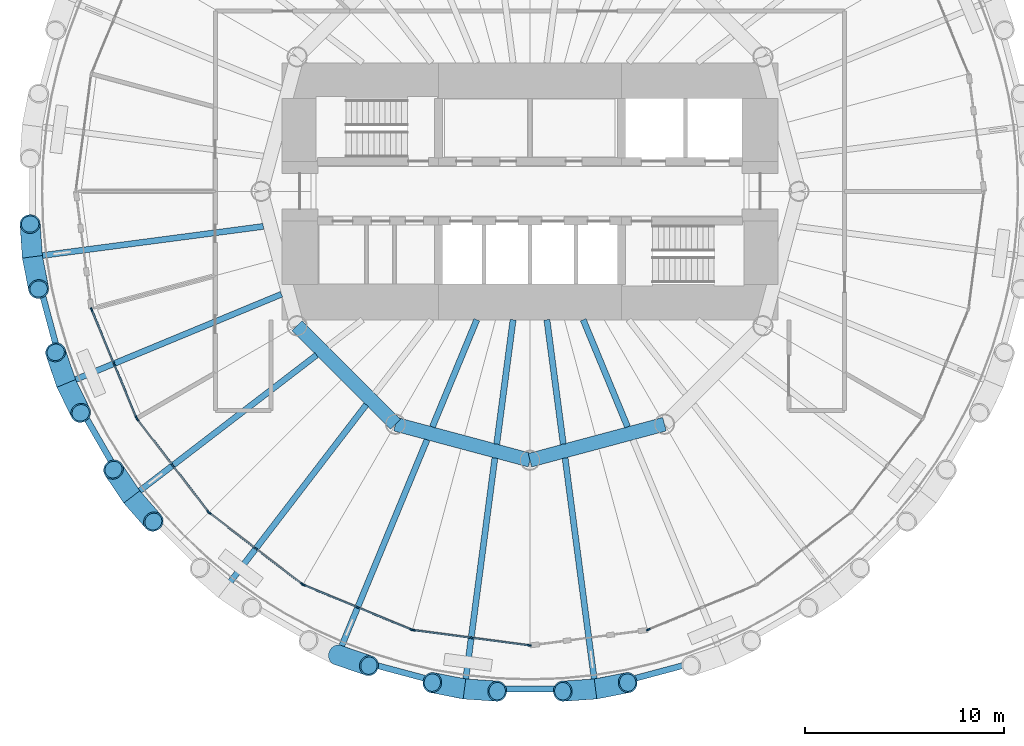
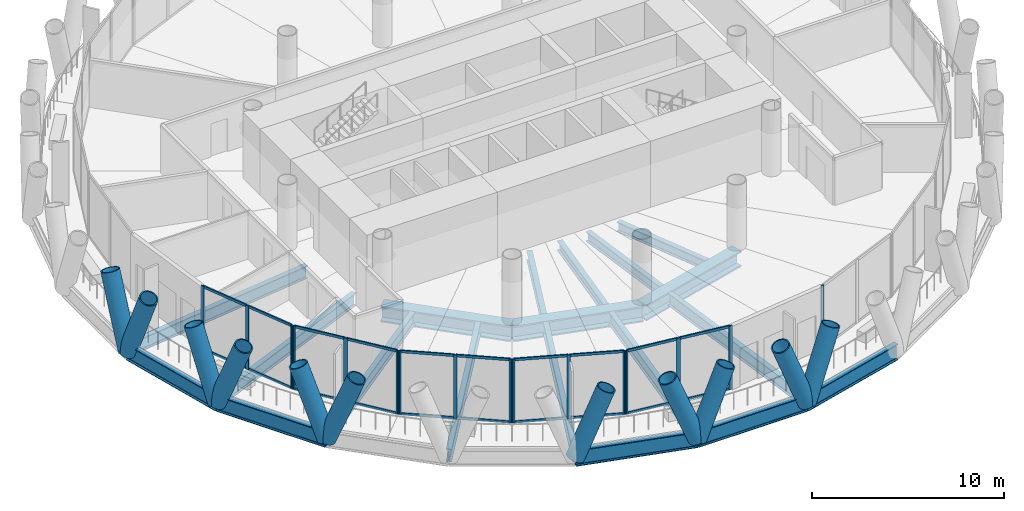
# One storey, part 2 of 14: 47 members, 19 beams, 6 elements without a shape of their own.
"""IFC4 building model written with IfcOpenShell, lengths in metres."""

from ifc_helpers import new_model, si_unit, direction, frame, origin, origin_2d, place, context, subcontext, project, spatial, rectangle, hollow_circle, i_section, extrude, material, material_profile, profile_set, type_object, element, aggregate, save


model = new_model("IFC4")

# Units and contexts
model_context = context("Model", 3, precision=1e-05, world=origin(), true_north=direction((0.0, 1.0)))
body_context = subcontext(model_context, "Body", "Model", "MODEL_VIEW")
ifc_project = project(units=[si_unit("LENGTHUNIT", "METRE"), si_unit("AREAUNIT", "SQUARE_METRE"), si_unit("VOLUMEUNIT", "CUBIC_METRE"), si_unit("PLANEANGLEUNIT", "RADIAN"), si_unit("MASSUNIT", "GRAM", prefix="KILO")], contexts=[model_context])

# Site, building, storey
site_placement = place(None, origin())
site = spatial("IfcSite", under=ifc_project, at=site_placement, CompositionType="ELEMENT")
building_placement = place(site_placement, origin())
building = spatial("IfcBuilding", under=site, at=building_placement, Name="Qaws Media Tower", CompositionType="ELEMENT")
storey_placement = place(building_placement, frame((0.0, 0.0, 118.39990234375)))
storey = spatial("IfcBuildingStorey", under=building, at=storey_placement, Name="L26", CompositionType="ELEMENT", Elevation=118.39990234375)

# Curtain wall, members
ifc_material_1 = material(Name="Aluminium and clear glass", Category="aluminium")
curtain_wall_type = type_object("IfcCurtainWallType", Name="Unitised curtain wall CW-B", PredefinedType="NOTDEFINED", material=ifc_material_1)
curtain_wall_1_placement = place(storey_placement, origin())
curtain_wall_1 = element("IfcCurtainWall", 1, at=curtain_wall_1_placement, inside=storey, type_object=curtain_wall_type, Name="CWB curtain wall L26-14", PredefinedType="NOTDEFINED")
ifc_material_2 = material(Name="Aluminium mullion", Category="aluminium")
ifc_material_profile_1 = material_profile(ifc_material_2, rectangle(XDim=0.080078125, YDim=0.199951171875, at=origin_2d()), Name="80x200")
ifc_profile_set_1 = profile_set([ifc_material_profile_1], Name="Aluminium mullion")
member_type_1 = type_object("IfcMemberType", Name="Curtain wall mullion 80x200", PredefinedType="MULLION", material=ifc_profile_set_1)
member_1_placement = place(storey_placement, frame((37.9921875, 44.06201171875, 0.0), z_axis=(0.0, 0.0, 1.0), x_axis=(0.923879516335, 0.382683471419, 0.0)))
member_1 = element("IfcMember", 2, at=member_1_placement, type_object=member_type_1, Name="CWB mullion 1", PredefinedType="MULLION", context=body_context, shape_type="SweptSolid", body=[
    extrude(rectangle(XDim=0.080078125, YDim=0.199951171875, at=origin_2d()), origin(), (0.0, 0.0, 1.0), 4.0400390625),
])
member_2_placement = place(storey_placement, frame((39.11572265625, 41.349365234375, 0.0), z_axis=(0.0, 0.0, 1.0), x_axis=(0.923879516335, 0.382683471419, 0.0)))
member_2 = element("IfcMember", 3, at=member_2_placement, type_object=member_type_1, Name="CWB mullion 2", PredefinedType="MULLION", context=body_context, shape_type="SweptSolid", body=[
    extrude(rectangle(XDim=0.080078125, YDim=0.199951171875, at=origin_2d()), origin(), (0.0, 0.0, 1.0), 4.0400390625),
])
member_3_placement = place(storey_placement, frame((40.2392578125, 38.636962890625, 0.0), z_axis=(0.0, 0.0, 1.0), x_axis=(0.923879516335, 0.382683471419, 0.0)))
member_3 = element("IfcMember", 4, at=member_3_placement, type_object=member_type_1, Name="CWB mullion 3", PredefinedType="MULLION", context=body_context, shape_type="SweptSolid", body=[
    extrude(rectangle(XDim=0.080078125, YDim=0.199951171875, at=origin_2d()), origin(), (0.0, 0.0, 1.0), 4.0400390625),
])

curtain_wall_2_placement = place(storey_placement, origin())
curtain_wall_2 = element("IfcCurtainWall", 5, at=curtain_wall_2_placement, inside=storey, type_object=curtain_wall_type, Name="CWB curtain wall L26-15", PredefinedType="NOTDEFINED")
member_4_placement = place(storey_placement, frame((40.279052734375, 38.568359375, 0.0), z_axis=(0.0, 0.0, 1.0), x_axis=(0.793353412806, 0.608761334505, 0.0)))
member_4 = element("IfcMember", 6, at=member_4_placement, type_object=member_type_1, Name="CWB mullion 1", PredefinedType="MULLION", context=body_context, shape_type="SweptSolid", body=[
    extrude(rectangle(XDim=0.080078125, YDim=0.199951171875, at=origin_2d()), origin(), (0.0, 0.0, 1.0), 4.0400390625),
])
member_5_placement = place(storey_placement, frame((42.06640625, 36.239013671875, 0.0), z_axis=(0.0, 0.0, 1.0), x_axis=(0.793353412806, 0.608761334505, 0.0)))
member_5 = element("IfcMember", 7, at=member_5_placement, type_object=member_type_1, Name="CWB mullion 2", PredefinedType="MULLION", context=body_context, shape_type="SweptSolid", body=[
    extrude(rectangle(XDim=0.080078125, YDim=0.199951171875, at=origin_2d()), origin(), (0.0, 0.0, 1.0), 4.0400390625),
])
member_6_placement = place(storey_placement, frame((43.853515625, 33.90966796875, 0.0), z_axis=(0.0, 0.0, 1.0), x_axis=(0.793353412806, 0.608761334505, 0.0)))
member_6 = element("IfcMember", 8, at=member_6_placement, type_object=member_type_1, Name="CWB mullion 3", PredefinedType="MULLION", context=body_context, shape_type="SweptSolid", body=[
    extrude(rectangle(XDim=0.080078125, YDim=0.199951171875, at=origin_2d()), origin(), (0.0, 0.0, 1.0), 4.0400390625),
])

curtain_wall_3_placement = place(storey_placement, origin())
curtain_wall_3 = element("IfcCurtainWall", 9, at=curtain_wall_3_placement, inside=storey, type_object=curtain_wall_type, Name="CWB curtain wall L26-16", PredefinedType="NOTDEFINED")
member_7_placement = place(storey_placement, frame((43.90966796875, 33.853515625, 0.0), z_axis=(0.0, 0.0, 1.0), x_axis=(0.608761334505, 0.793353412806, 0.0)))
member_7 = element("IfcMember", 10, at=member_7_placement, type_object=member_type_1, Name="CWB mullion 1", PredefinedType="MULLION", context=body_context, shape_type="SweptSolid", body=[
    extrude(rectangle(XDim=0.080078125, YDim=0.199951171875, at=origin_2d()), origin(), (0.0, 0.0, 1.0), 4.0400390625),
])
member_8_placement = place(storey_placement, frame((46.239013671875, 32.06640625, 0.0), z_axis=(0.0, 0.0, 1.0), x_axis=(0.608761334505, 0.793353412806, 0.0)))
member_8 = element("IfcMember", 11, at=member_8_placement, type_object=member_type_1, Name="CWB mullion 2", PredefinedType="MULLION", context=body_context, shape_type="SweptSolid", body=[
    extrude(rectangle(XDim=0.080078125, YDim=0.199951171875, at=origin_2d()), origin(), (0.0, 0.0, 1.0), 4.0400390625),
])
member_9_placement = place(storey_placement, frame((48.568359375, 30.279052734375, 0.0), z_axis=(0.0, 0.0, 1.0), x_axis=(0.608761334505, 0.793353412806, 0.0)))
member_9 = element("IfcMember", 12, at=member_9_placement, type_object=member_type_1, Name="CWB mullion 3", PredefinedType="MULLION", context=body_context, shape_type="SweptSolid", body=[
    extrude(rectangle(XDim=0.080078125, YDim=0.199951171875, at=origin_2d()), origin(), (0.0, 0.0, 1.0), 4.0400390625),
])

curtain_wall_4_placement = place(storey_placement, origin())
curtain_wall_4 = element("IfcCurtainWall", 13, at=curtain_wall_4_placement, inside=storey, type_object=curtain_wall_type, Name="CWB curtain wall L26-17", PredefinedType="NOTDEFINED")
member_10_placement = place(storey_placement, frame((48.636962890625, 30.2392578125, 0.0), z_axis=(0.0, 0.0, 1.0), x_axis=(0.382683471419, 0.923879516335, 0.0)))
member_10 = element("IfcMember", 14, at=member_10_placement, type_object=member_type_1, Name="CWB mullion 1", PredefinedType="MULLION", context=body_context, shape_type="SweptSolid", body=[
    extrude(rectangle(XDim=0.080078125, YDim=0.199951171875, at=origin_2d()), origin(), (0.0, 0.0, 1.0), 4.0400390625),
])
member_11_placement = place(storey_placement, frame((51.349365234375, 29.11572265625, 0.0), z_axis=(0.0, 0.0, 1.0), x_axis=(0.382683471419, 0.923879516335, 0.0)))
member_11 = element("IfcMember", 15, at=member_11_placement, type_object=member_type_1, Name="CWB mullion 2", PredefinedType="MULLION", context=body_context, shape_type="SweptSolid", body=[
    extrude(rectangle(XDim=0.080078125, YDim=0.199951171875, at=origin_2d()), origin(), (0.0, 0.0, 1.0), 4.0400390625),
])
member_12_placement = place(storey_placement, frame((54.06201171875, 27.9921875, 0.0), z_axis=(0.0, 0.0, 1.0), x_axis=(0.382683471419, 0.923879516335, 0.0)))
member_12 = element("IfcMember", 16, at=member_12_placement, type_object=member_type_1, Name="CWB mullion 3", PredefinedType="MULLION", context=body_context, shape_type="SweptSolid", body=[
    extrude(rectangle(XDim=0.080078125, YDim=0.199951171875, at=origin_2d()), origin(), (0.0, 0.0, 1.0), 4.0400390625),
])

curtain_wall_5_placement = place(storey_placement, origin())
curtain_wall_5 = element("IfcCurtainWall", 17, at=curtain_wall_5_placement, inside=storey, type_object=curtain_wall_type, Name="CWB curtain wall L26-18", PredefinedType="NOTDEFINED")
member_13_placement = place(storey_placement, frame((54.138671875, 27.9716796875, 0.0), z_axis=(0.0, 0.0, 1.0), x_axis=(0.130526170659, 0.991444864212, 0.0)))
member_13 = element("IfcMember", 18, at=member_13_placement, type_object=member_type_1, Name="CWB mullion 1", PredefinedType="MULLION", context=body_context, shape_type="SweptSolid", body=[
    extrude(rectangle(XDim=0.080078125, YDim=0.199951171875, at=origin_2d()), origin(), (0.0, 0.0, 1.0), 4.0400390625),
])
member_14_placement = place(storey_placement, frame((57.049560546875, 27.58837890625, 0.0), z_axis=(0.0, 0.0, 1.0), x_axis=(0.130526170659, 0.991444864212, 0.0)))
member_14 = element("IfcMember", 19, at=member_14_placement, type_object=member_type_1, Name="CWB mullion 2", PredefinedType="MULLION", context=body_context, shape_type="SweptSolid", body=[
    extrude(rectangle(XDim=0.080078125, YDim=0.199951171875, at=origin_2d()), origin(), (0.0, 0.0, 1.0), 4.0400390625),
])
member_15_placement = place(storey_placement, frame((59.96044921875, 27.205322265625, 0.0), z_axis=(0.0, 0.0, 1.0), x_axis=(0.130526170659, 0.991444864212, 0.0)))
member_15 = element("IfcMember", 20, at=member_15_placement, type_object=member_type_1, Name="CWB mullion 3", PredefinedType="MULLION", context=body_context, shape_type="SweptSolid", body=[
    extrude(rectangle(XDim=0.080078125, YDim=0.199951171875, at=origin_2d()), origin(), (0.0, 0.0, 1.0), 4.0400390625),
])

# Curtain wall, member
curtain_wall_6_placement = place(storey_placement, origin())
curtain_wall_6 = element("IfcCurtainWall", 21, at=curtain_wall_6_placement, inside=storey, type_object=curtain_wall_type, Name="CWB curtain wall L26-20", PredefinedType="NOTDEFINED")
member_16_placement = place(storey_placement, frame((65.93798828125, 27.9921875, 0.0), z_axis=(0.0, 0.0, 1.0), x_axis=(-0.382683471419, 0.923879516335, 0.0)))
member_16 = element("IfcMember", 22, at=member_16_placement, type_object=member_type_1, Name="CWB mullion 1", PredefinedType="MULLION", context=body_context, shape_type="SweptSolid", body=[
    extrude(rectangle(XDim=0.080078125, YDim=0.199951171875, at=origin_2d()), origin(), (0.0, 0.0, 1.0), 4.0400390625),
])
aggregate(curtain_wall_6, [member_16])

# Member
ifc_material_3 = material(Name="Aluminium transom", Category="aluminium")
ifc_material_profile_2 = material_profile(ifc_material_3, rectangle(XDim=0.080078125, YDim=0.159912109375, at=origin_2d()), Name="80x160")
ifc_profile_set_2 = profile_set([ifc_material_profile_2], Name="Aluminium transom")
member_type_2 = type_object("IfcMemberType", Name="Curtain wall transom 80x160", PredefinedType="USERDEFINED", material=ifc_profile_set_2)
member_17_placement = place(storey_placement, frame((38.007568359375, 44.02490234375, 0.0400390625), z_axis=(0.382653808485, -0.923891802568, 0.0), x_axis=(0.923891802568, 0.382653808485, 0.0)))
member_17 = element("IfcMember", 23, at=member_17_placement, type_object=member_type_2, Name="CWB transom 1.1", ObjectType="TRANSOM", PredefinedType="USERDEFINED", context=body_context, shape_type="SweptSolid", body=[
    extrude(rectangle(XDim=0.080078125, YDim=0.159912109375, at=origin_2d()), origin(), (0.0, 0.0, 1.0), 2.855712890625),
])

member_18_placement = place(storey_placement, frame((38.007568359375, 44.02490234375, 4.0), z_axis=(0.382653808485, -0.923891802568, 0.0), x_axis=(0.923891802568, 0.382653808485, 0.0)))
member_18 = element("IfcMember", 24, at=member_18_placement, type_object=member_type_2, Name="CWB transom 1.2", ObjectType="TRANSOM", PredefinedType="USERDEFINED", context=body_context, shape_type="SweptSolid", body=[
    extrude(rectangle(XDim=0.080078125, YDim=0.159912109375, at=origin_2d()), origin(), (0.0, 0.0, 1.0), 2.855712890625),
])

member_19_placement = place(storey_placement, frame((39.131103515625, 41.3125, 0.0400390625), z_axis=(0.382696552241, -0.923874097972, 0.0), x_axis=(0.923874097972, 0.382696552241, 0.0)))
member_19 = element("IfcMember", 25, at=member_19_placement, type_object=member_type_2, Name="CWB transom 2.1", ObjectType="TRANSOM", PredefinedType="USERDEFINED", context=body_context, shape_type="SweptSolid", body=[
    extrude(rectangle(XDim=0.080078125, YDim=0.159912109375, at=origin_2d()), origin(), (0.0, 0.0, 1.0), 2.856201171875),
])

member_20_placement = place(storey_placement, frame((39.131103515625, 41.3125, 4.0), z_axis=(0.382696552241, -0.923874097972, 0.0), x_axis=(0.923874097972, 0.382696552241, 0.0)))
member_20 = element("IfcMember", 26, at=member_20_placement, type_object=member_type_2, Name="CWB transom 2.2", ObjectType="TRANSOM", PredefinedType="USERDEFINED", context=body_context, shape_type="SweptSolid", body=[
    extrude(rectangle(XDim=0.080078125, YDim=0.159912109375, at=origin_2d()), origin(), (0.0, 0.0, 1.0), 2.856201171875),
])

aggregate(curtain_wall_1, [member_1, member_2, member_3, member_17, member_18, member_19, member_20])

member_21_placement = place(storey_placement, frame((40.30322265625, 38.53662109375, 0.0400390625), z_axis=(0.608785005928, -0.793335248528, 0.0), x_axis=(0.793335248528, 0.608785005928, 0.0)))
member_21 = element("IfcMember", 27, at=member_21_placement, type_object=member_type_2, Name="CWB transom 1.1", ObjectType="TRANSOM", PredefinedType="USERDEFINED", context=body_context, shape_type="SweptSolid", body=[
    extrude(rectangle(XDim=0.080078125, YDim=0.159912109375, at=origin_2d()), origin(), (0.0, 0.0, 1.0), 2.856201171875),
])

member_22_placement = place(storey_placement, frame((40.30322265625, 38.53662109375, 4.0), z_axis=(0.608785005928, -0.793335248528, 0.0), x_axis=(0.793335248528, 0.608785005928, 0.0)))
member_22 = element("IfcMember", 28, at=member_22_placement, type_object=member_type_2, Name="CWB transom 1.2", ObjectType="TRANSOM", PredefinedType="USERDEFINED", context=body_context, shape_type="SweptSolid", body=[
    extrude(rectangle(XDim=0.080078125, YDim=0.159912109375, at=origin_2d()), origin(), (0.0, 0.0, 1.0), 2.856201171875),
])

member_23_placement = place(storey_placement, frame((42.090576171875, 36.207275390625, 0.0400390625), z_axis=(0.608785005928, -0.793335248528, 0.0), x_axis=(0.793335248528, 0.608785005928, 0.0)))
member_23 = element("IfcMember", 29, at=member_23_placement, type_object=member_type_2, Name="CWB transom 2.1", ObjectType="TRANSOM", PredefinedType="USERDEFINED", context=body_context, shape_type="SweptSolid", body=[
    extrude(rectangle(XDim=0.080078125, YDim=0.159912109375, at=origin_2d()), origin(), (0.0, 0.0, 1.0), 2.856201171875),
])

member_24_placement = place(storey_placement, frame((42.090576171875, 36.207275390625, 4.0), z_axis=(0.608785005928, -0.793335248528, 0.0), x_axis=(0.793335248528, 0.608785005928, 0.0)))
member_24 = element("IfcMember", 30, at=member_24_placement, type_object=member_type_2, Name="CWB transom 2.2", ObjectType="TRANSOM", PredefinedType="USERDEFINED", context=body_context, shape_type="SweptSolid", body=[
    extrude(rectangle(XDim=0.080078125, YDim=0.159912109375, at=origin_2d()), origin(), (0.0, 0.0, 1.0), 2.856201171875),
])

aggregate(curtain_wall_2, [member_4, member_5, member_6, member_21, member_22, member_23, member_24])

member_25_placement = place(storey_placement, frame((43.94140625, 33.829345703125, 0.0400390625), z_axis=(0.793335248528, -0.608785005928, 0.0), x_axis=(0.608785005928, 0.793335248528, 0.0)))
member_25 = element("IfcMember", 31, at=member_25_placement, type_object=member_type_2, Name="CWB transom 1.1", ObjectType="TRANSOM", PredefinedType="USERDEFINED", context=body_context, shape_type="SweptSolid", body=[
    extrude(rectangle(XDim=0.080078125, YDim=0.159912109375, at=origin_2d()), origin(), (0.0, 0.0, 1.0), 2.856201171875),
])

member_26_placement = place(storey_placement, frame((43.94140625, 33.829345703125, 4.0), z_axis=(0.793335248528, -0.608785005928, 0.0), x_axis=(0.608785005928, 0.793335248528, 0.0)))
member_26 = element("IfcMember", 32, at=member_26_placement, type_object=member_type_2, Name="CWB transom 1.2", ObjectType="TRANSOM", PredefinedType="USERDEFINED", context=body_context, shape_type="SweptSolid", body=[
    extrude(rectangle(XDim=0.080078125, YDim=0.159912109375, at=origin_2d()), origin(), (0.0, 0.0, 1.0), 2.856201171875),
])

member_27_placement = place(storey_placement, frame((46.270751953125, 32.0419921875, 0.0400390625), z_axis=(0.793335248528, -0.608785005928, 0.0), x_axis=(0.608785005928, 0.793335248528, 0.0)))
member_27 = element("IfcMember", 33, at=member_27_placement, type_object=member_type_2, Name="CWB transom 2.1", ObjectType="TRANSOM", PredefinedType="USERDEFINED", context=body_context, shape_type="SweptSolid", body=[
    extrude(rectangle(XDim=0.080078125, YDim=0.159912109375, at=origin_2d()), origin(), (0.0, 0.0, 1.0), 2.856201171875),
])

member_28_placement = place(storey_placement, frame((46.270751953125, 32.0419921875, 4.0), z_axis=(0.793335248528, -0.608785005928, 0.0), x_axis=(0.608785005928, 0.793335248528, 0.0)))
member_28 = element("IfcMember", 34, at=member_28_placement, type_object=member_type_2, Name="CWB transom 2.2", ObjectType="TRANSOM", PredefinedType="USERDEFINED", context=body_context, shape_type="SweptSolid", body=[
    extrude(rectangle(XDim=0.080078125, YDim=0.159912109375, at=origin_2d()), origin(), (0.0, 0.0, 1.0), 2.856201171875),
])

aggregate(curtain_wall_3, [member_7, member_8, member_9, member_25, member_26, member_27, member_28])

member_29_placement = place(storey_placement, frame((48.673828125, 30.22412109375, 0.0400390625), z_axis=(0.923874097972, -0.382696552241, 0.0), x_axis=(0.382696552241, 0.923874097972, 0.0)))
member_29 = element("IfcMember", 35, at=member_29_placement, type_object=member_type_2, Name="CWB transom 1.1", ObjectType="TRANSOM", PredefinedType="USERDEFINED", context=body_context, shape_type="SweptSolid", body=[
    extrude(rectangle(XDim=0.080078125, YDim=0.159912109375, at=origin_2d()), origin(), (0.0, 0.0, 1.0), 2.856201171875),
])

member_30_placement = place(storey_placement, frame((48.673828125, 30.22412109375, 4.0), z_axis=(0.923874097972, -0.382696552241, 0.0), x_axis=(0.382696552241, 0.923874097972, 0.0)))
member_30 = element("IfcMember", 36, at=member_30_placement, type_object=member_type_2, Name="CWB transom 1.2", ObjectType="TRANSOM", PredefinedType="USERDEFINED", context=body_context, shape_type="SweptSolid", body=[
    extrude(rectangle(XDim=0.080078125, YDim=0.159912109375, at=origin_2d()), origin(), (0.0, 0.0, 1.0), 2.856201171875),
])

member_31_placement = place(storey_placement, frame((51.386474609375, 29.100341796875, 0.0400390625), z_axis=(0.923891802568, -0.382653808485, 0.0), x_axis=(0.382653808485, 0.923891802568, 0.0)))
member_31 = element("IfcMember", 37, at=member_31_placement, type_object=member_type_2, Name="CWB transom 2.1", ObjectType="TRANSOM", PredefinedType="USERDEFINED", context=body_context, shape_type="SweptSolid", body=[
    extrude(rectangle(XDim=0.080078125, YDim=0.159912109375, at=origin_2d()), origin(), (0.0, 0.0, 1.0), 2.855712890625),
])

member_32_placement = place(storey_placement, frame((51.386474609375, 29.100341796875, 4.0), z_axis=(0.923891802568, -0.382653808485, 0.0), x_axis=(0.382653808485, 0.923891802568, 0.0)))
member_32 = element("IfcMember", 38, at=member_32_placement, type_object=member_type_2, Name="CWB transom 2.2", ObjectType="TRANSOM", PredefinedType="USERDEFINED", context=body_context, shape_type="SweptSolid", body=[
    extrude(rectangle(XDim=0.080078125, YDim=0.159912109375, at=origin_2d()), origin(), (0.0, 0.0, 1.0), 2.855712890625),
])

aggregate(curtain_wall_4, [member_10, member_11, member_12, member_29, member_30, member_31, member_32])

member_33_placement = place(storey_placement, frame((54.17822265625, 27.966552734375, 0.0400390625), z_axis=(0.991443817788, -0.130534118793, 0.0), x_axis=(0.130534118793, 0.991443817788, 0.0)))
member_33 = element("IfcMember", 39, at=member_33_placement, type_object=member_type_2, Name="CWB transom 1.1", ObjectType="TRANSOM", PredefinedType="USERDEFINED", context=body_context, shape_type="SweptSolid", body=[
    extrude(rectangle(XDim=0.080078125, YDim=0.159912109375, at=origin_2d()), origin(), (0.0, 0.0, 1.0), 2.85595703125),
])

member_34_placement = place(storey_placement, frame((54.17822265625, 27.966552734375, 4.0), z_axis=(0.991443817788, -0.130534118793, 0.0), x_axis=(0.130534118793, 0.991443817788, 0.0)))
member_34 = element("IfcMember", 40, at=member_34_placement, type_object=member_type_2, Name="CWB transom 1.2", ObjectType="TRANSOM", PredefinedType="USERDEFINED", context=body_context, shape_type="SweptSolid", body=[
    extrude(rectangle(XDim=0.080078125, YDim=0.159912109375, at=origin_2d()), origin(), (0.0, 0.0, 1.0), 2.85595703125),
])

member_35_placement = place(storey_placement, frame((57.089111328125, 27.583251953125, 0.0400390625), z_axis=(0.991443817788, -0.130534118793, 0.0), x_axis=(0.130534118793, 0.991443817788, 0.0)))
member_35 = element("IfcMember", 41, at=member_35_placement, type_object=member_type_2, Name="CWB transom 2.1", ObjectType="TRANSOM", PredefinedType="USERDEFINED", context=body_context, shape_type="SweptSolid", body=[
    extrude(rectangle(XDim=0.080078125, YDim=0.159912109375, at=origin_2d()), origin(), (0.0, 0.0, 1.0), 2.85595703125),
])

member_36_placement = place(storey_placement, frame((57.089111328125, 27.583251953125, 4.0), z_axis=(0.991443817788, -0.130534118793, 0.0), x_axis=(0.130534118793, 0.991443817788, 0.0)))
member_36 = element("IfcMember", 42, at=member_36_placement, type_object=member_type_2, Name="CWB transom 2.2", ObjectType="TRANSOM", PredefinedType="USERDEFINED", context=body_context, shape_type="SweptSolid", body=[
    extrude(rectangle(XDim=0.080078125, YDim=0.159912109375, at=origin_2d()), origin(), (0.0, 0.0, 1.0), 2.85595703125),
])

aggregate(curtain_wall_5, [member_13, member_14, member_15, member_33, member_34, member_35, member_36])

# Members
ifc_material_4 = material(Name="Steel S460", Category="steel")
ifc_material_profile_3 = material_profile(ifc_material_4, hollow_circle(Radius=0.508056640625, WallThickness=0.070068359375, at=origin_2d()), Name="CHS 1016x70")
ifc_profile_set_3 = profile_set([ifc_material_profile_3], Name="Steel S460")
member_type_3 = type_object("IfcMemberType", Name="Diagrid member CHS 1016x70", PredefinedType="USERDEFINED", material=ifc_profile_set_3)
for number, where, z_axis, x_axis, name in (
    (43, (35.015625, 46.710693359375, -0.663818359375), (0.070400145743, -0.358440096389, 0.930894471344), (0.981252822756, 0.192724927899, 0.0), "DG3 diagrid L26 A13"),
    (44, (35.015625, 46.710693359375, -0.663818359375), (-0.024782959481, 0.364493482667, 0.930876095951), (-0.997696468439, -0.067836250378, 0.0), "DG3 diagrid L26 B13"),
    (45, (36.71826171875, 40.3564453125, -0.663818359375), (0.160766634371, -0.328026703991, 0.930888054893), (0.897954010006, 0.440089304475, 0.0), "DG3 diagrid L26 A14"),
    (46, (36.71826171875, 40.3564453125, -0.663818359375), (-0.118235791731, 0.34561647679, 0.930897173981), (-0.946165178877, -0.32368418911, 0.0), "DG3 diagrid L26 B14"),
    (47, (40.007568359375, 34.6591796875, -0.663818359375), (0.240203895342, -0.275214465355, 0.930891554759), (0.753401974381, 0.657560236783, 0.0), "DG3 diagrid L26 A15"),
    (48, (40.007568359375, 34.6591796875, -0.663818359375), (-0.203678066954, 0.303244390863, 0.93089101642), (-0.83013101986, -0.557568372369, 0.0), "DG3 diagrid L26 B15"),
    (49, (50.3564453125, 26.71826171875, -0.663818359375), (0.34561647679, -0.118235791731, 0.930897173981), (0.32368418911, 0.946165178877, 0.0), "DG3 diagrid L26 A17"),
    (50, (56.710693359375, 25.015625, -0.663818359375), (0.364493482667, -0.024782959481, 0.930876095951), (0.067836250378, 0.997696468439, 0.0), "DG3 diagrid L26 A18"),
    (51, (56.710693359375, 25.015625, -0.663818359375), (-0.358440096389, 0.070400145743, 0.930894471344), (-0.192724927899, -0.981252822756, 0.0), "DG3 diagrid L26 B18"),
    (52, (63.289306640625, 25.015625, -0.663818359375), (0.358440096389, 0.070400145743, 0.930894471344), (-0.192724927899, 0.981252822756, 0.0), "DG3 diagrid L26 A19"),
    (53, (63.289306640625, 25.015625, -0.663818359375), (-0.364493482667, -0.024782959481, 0.930876095951), (0.067836250378, -0.997696468439, 0.0), "DG3 diagrid L26 B19"),
):
    element("IfcMember", number, at=place(storey_placement, frame(where, z_axis=z_axis, x_axis=x_axis)), inside=storey, type_object=member_type_3, Name=name, ObjectType="DIAGRID", PredefinedType="USERDEFINED", context=body_context, shape_type="SweptSolid", body=[
        extrude(hollow_circle(Radius=0.508056640625, WallThickness=0.070068359375, at=origin_2d()), origin(), (0.0, 0.0, 1.0), 4.51171875),
    ])

# Beams
ifc_material_5 = material(Name="Steel S460", Category="steel")
ifc_material_profile_4 = material_profile(ifc_material_5, i_section(OverallWidth=0.302001953125, OverallDepth=1.008056640625, WebThickness=0.02099609375, FlangeThickness=0.0400390625, FilletRadius=0.030029296875, at=origin_2d()), Name="HE 1000 M")
ifc_profile_set_4 = profile_set([ifc_material_profile_4], Name="Steel S460")
beam_type_1 = type_object("IfcBeamType", Name="Edge ring beam HE 1000 M", PredefinedType="BEAM", material=ifc_profile_set_4)
beam_1_placement = place(storey_placement, frame((35.015625, 46.710693359375, -0.663818359375), z_axis=(0.258822035732, -0.965925024947, 0.0), x_axis=(0.965925024947, 0.258822035732, 0.0)))
element("IfcBeam", 54, at=beam_1_placement, inside=storey, type_object=beam_type_1, Name="RB3 edge ring beam L26-13", PredefinedType="BEAM", context=body_context, shape_type="SweptSolid", body=[
    extrude(i_section(OverallWidth=0.302001953125, OverallDepth=1.008056640625, WebThickness=0.02099609375, FlangeThickness=0.0400390625, FilletRadius=0.030029296875, at=origin_2d()), origin(), (0.0, 0.0, 1.0), 6.578369140625),
])
beam_2_placement = place(storey_placement, frame((36.71826171875, 40.3564453125, -0.663818359375), z_axis=(0.499998722954, -0.866026141086, 0.0), x_axis=(0.866026141086, 0.499998722954, 0.0)))
element("IfcBeam", 55, at=beam_2_placement, inside=storey, type_object=beam_type_1, Name="RB3 edge ring beam L26-14", PredefinedType="BEAM", context=body_context, shape_type="SweptSolid", body=[
    extrude(i_section(OverallWidth=0.302001953125, OverallDepth=1.008056640625, WebThickness=0.02099609375, FlangeThickness=0.0400390625, FilletRadius=0.030029296875, at=origin_2d()), origin(), (0.0, 0.0, 1.0), 6.57861328125),
])
beam_3_placement = place(storey_placement, frame((50.3564453125, 26.71826171875, -0.663818359375), z_axis=(0.965925024947, -0.258822035732, 0.0), x_axis=(0.258822035732, 0.965925024947, 0.0)))
element("IfcBeam", 56, at=beam_3_placement, inside=storey, type_object=beam_type_1, Name="RB3 edge ring beam L26-17", PredefinedType="BEAM", context=body_context, shape_type="SweptSolid", body=[
    extrude(i_section(OverallWidth=0.302001953125, OverallDepth=1.008056640625, WebThickness=0.02099609375, FlangeThickness=0.0400390625, FilletRadius=0.030029296875, at=origin_2d()), origin(), (0.0, 0.0, 1.0), 6.578369140625),
])
beam_4_placement = place(storey_placement, frame((56.710693359375, 25.015625, -0.663818359375), z_axis=(1.0, 0.0, 0.0), x_axis=(0.0, 1.0, 0.0)))
element("IfcBeam", 57, at=beam_4_placement, inside=storey, type_object=beam_type_1, Name="RB3 edge ring beam L26-18", PredefinedType="BEAM", context=body_context, shape_type="SweptSolid", body=[
    extrude(i_section(OverallWidth=0.302001953125, OverallDepth=1.008056640625, WebThickness=0.02099609375, FlangeThickness=0.0400390625, FilletRadius=0.030029296875, at=origin_2d()), origin(), (0.0, 0.0, 1.0), 6.57861328125),
])
beam_5_placement = place(storey_placement, frame((63.289306640625, 25.015625, -0.663818359375), z_axis=(0.965925024947, 0.258822035732, 0.0), x_axis=(-0.258822035732, 0.965925024947, 0.0)))
element("IfcBeam", 58, at=beam_5_placement, inside=storey, type_object=beam_type_1, Name="RB3 edge ring beam L26-19", PredefinedType="BEAM", context=body_context, shape_type="SweptSolid", body=[
    extrude(i_section(OverallWidth=0.302001953125, OverallDepth=1.008056640625, WebThickness=0.02099609375, FlangeThickness=0.0400390625, FilletRadius=0.030029296875, at=origin_2d()), origin(), (0.0, 0.0, 1.0), 6.578369140625),
])
ifc_material_6 = material(Name="Steel S460", Category="steel")
ifc_material_profile_5 = material_profile(ifc_material_6, i_section(OverallWidth=0.699951171875, OverallDepth=1.0, WebThickness=0.034912109375, FlangeThickness=0.090087890625, at=origin_2d()), Name="PG 1000x700")
ifc_profile_set_5 = profile_set([ifc_material_profile_5], Name="Steel S460")
beam_type_2 = type_object("IfcBeamType", Name="Inner ring girder PG 1000x700", PredefinedType="BEAM", material=ifc_profile_set_5)
beam_6_placement = place(storey_placement, frame((48.30859375, 43.25, -0.659912109375), z_axis=(0.707106781187, -0.707106781187, 0.0), x_axis=(0.707106781187, 0.707106781187, 0.0)))
element("IfcBeam", 59, at=beam_6_placement, inside=storey, type_object=beam_type_2, Name="B3 inner ring beam L26 I08-I09", PredefinedType="BEAM", context=body_context, shape_type="SweptSolid", body=[
    extrude(i_section(OverallWidth=0.699951171875, OverallDepth=1.0, WebThickness=0.034912109375, FlangeThickness=0.090087890625, at=origin_2d()), origin(), (0.0, 0.0, 1.0), 6.98828125),
])
for number, where, z_axis, x_axis, name in (
    (60, (53.25, 38.30859375, -0.659912109375), (0.965928090778, -0.258810593767, 0.0), (0.258810593767, 0.965928090778, 0.0), "B3 inner ring beam L26 I09-I10"),
    (61, (60.0, 36.5, -0.659912109375), (0.965928090778, 0.258810593767, 0.0), (-0.258810593767, 0.965928090778, 0.0), "B3 inner ring beam L26 I10-I11"),
):
    element("IfcBeam", number, at=place(storey_placement, frame(where, z_axis=z_axis, x_axis=x_axis)), inside=storey, type_object=beam_type_2, Name=name, PredefinedType="BEAM", context=body_context, shape_type="SweptSolid", body=[
        extrude(i_section(OverallWidth=0.699951171875, OverallDepth=1.0, WebThickness=0.034912109375, FlangeThickness=0.090087890625, at=origin_2d()), origin(), (0.0, 0.0, 1.0), 6.988037109375),
    ])
ifc_material_7 = material(Name="Steel S355", Category="steel")
ifc_material_profile_6 = material_profile(ifc_material_7, i_section(OverallWidth=0.304931640625, OverallDepth=0.6201171875, WebThickness=0.02099609375, FlangeThickness=0.0400390625, FilletRadius=0.027099609375, at=origin_2d()), Name="HE 600 M")
ifc_profile_set_6 = profile_set([ifc_material_profile_6], Name="Steel S355")
beam_type_3 = type_object("IfcBeamType", Name="Radial beam HE 600 M, core side", PredefinedType="BEAM", material=ifc_profile_set_6)
beam_7_placement = place(storey_placement, frame((57.328369140625, 43.550048828125, -0.469970703125), z_axis=(-0.382692744599, -0.923875675203, 0.0), x_axis=(0.923875675203, -0.382692744599, 0.0)))
element("IfcBeam", 62, at=beam_7_placement, inside=storey, type_object=beam_type_3, Name="B2 radial beam L26 17", PredefinedType="BEAM", context=body_context, shape_type="SweptSolid", body=[
    extrude(i_section(OverallWidth=0.304931640625, OverallDepth=0.6201171875, WebThickness=0.02099609375, FlangeThickness=0.0400390625, FilletRadius=0.027099609375, at=origin_2d()), origin(), (0.0, 0.0, 1.0), 5.818115234375),
])
for number, where, z_axis, x_axis, name in (
    (63, (59.15087890625, 43.550048828125, -0.469970703125), (-0.130529769311, -0.991444390434, 0.0), (0.991444390434, -0.130529769311, 0.0), "B2 radial beam L26 18"),
    (64, (60.84912109375, 43.550048828125, -0.469970703125), (0.130529769311, -0.991444390434, 0.0), (0.991444390434, 0.130529769311, 0.0), "B2 radial beam L26 19"),
):
    element("IfcBeam", number, at=place(storey_placement, frame(where, z_axis=z_axis, x_axis=x_axis)), inside=storey, type_object=beam_type_3, Name=name, PredefinedType="BEAM", context=body_context, shape_type="SweptSolid", body=[
        extrude(i_section(OverallWidth=0.304931640625, OverallDepth=0.6201171875, WebThickness=0.02099609375, FlangeThickness=0.0400390625, FilletRadius=0.027099609375, at=origin_2d()), origin(), (0.0, 0.0, 1.0), 6.2939453125),
    ])
beam_8_placement = place(storey_placement, frame((62.671630859375, 43.550048828125, -0.469970703125), z_axis=(0.382692744599, -0.923875675203, 0.0), x_axis=(0.923875675203, 0.382692744599, 0.0)))
element("IfcBeam", 65, at=beam_8_placement, inside=storey, type_object=beam_type_3, Name="B2 radial beam L26 20", PredefinedType="BEAM", context=body_context, shape_type="SweptSolid", body=[
    extrude(i_section(OverallWidth=0.304931640625, OverallDepth=0.6201171875, WebThickness=0.02099609375, FlangeThickness=0.0400390625, FilletRadius=0.027099609375, at=origin_2d()), origin(), (0.0, 0.0, 1.0), 5.818115234375),
])
ifc_material_8 = material(Name="Steel S355", Category="steel")
ifc_material_profile_7 = material_profile(ifc_material_8, i_section(OverallWidth=0.300048828125, OverallDepth=0.800048828125, WebThickness=0.017578125, FlangeThickness=0.032958984375, FilletRadius=0.030029296875, at=origin_2d()), Name="HE 800 B")
ifc_profile_set_7 = profile_set([ifc_material_profile_7], Name="Steel S355")
beam_type_4 = type_object("IfcBeamType", Name="Radial beam HE 800 B", PredefinedType="BEAM", material=ifc_profile_set_7)
beam_9_placement = place(storey_placement, frame((46.610107421875, 48.237060546875, -0.559814453125), z_axis=(-0.991445695513, -0.130519856148, 0.0), x_axis=(0.130519856148, -0.991445695513, 0.0)))
element("IfcBeam", 66, at=beam_9_placement, inside=storey, type_object=beam_type_4, Name="B1 radial beam L26 13", PredefinedType="BEAM", context=body_context, shape_type="SweptSolid", body=[
    extrude(i_section(OverallWidth=0.300048828125, OverallDepth=0.800048828125, WebThickness=0.017578125, FlangeThickness=0.032958984375, FilletRadius=0.030029296875, at=origin_2d()), origin(), (0.0, 0.0, 1.0), 11.694580078125),
])
for number, where, z_axis, x_axis, name in (
    (67, (47.5224609375, 44.83154296875, -0.559814453125), (-0.923884012684, -0.382672616091, 0.0), (0.382672616091, -0.923884012684, 0.0), "B1 radial beam L26 14"),
    (68, (49.285400390625, 41.7783203125, -0.559814453125), (-0.793352938974, -0.608761952015, 0.0), (0.608761952015, -0.793352938974, 0.0), "B1 radial beam L26 15"),
    (69, (51.7783203125, 39.285400390625, -0.559814453125), (-0.608761952015, -0.793352938974, 0.0), (0.793352938974, -0.608761952015, 0.0), "B1 radial beam L26 16"),
    (70, (54.83154296875, 37.5224609375, -0.559814453125), (-0.382672616091, -0.923884012684, 0.0), (0.923884012684, -0.382672616091, 0.0), "B1 radial beam L26 17"),
):
    element("IfcBeam", number, at=place(storey_placement, frame(where, z_axis=z_axis, x_axis=x_axis)), inside=storey, type_object=beam_type_4, Name=name, PredefinedType="BEAM", context=body_context, shape_type="SweptSolid", body=[
        extrude(i_section(OverallWidth=0.300048828125, OverallDepth=0.800048828125, WebThickness=0.017578125, FlangeThickness=0.032958984375, FilletRadius=0.030029296875, at=origin_2d()), origin(), (0.0, 0.0, 1.0), 11.6943359375),
    ])
for number, where, z_axis, x_axis, name in (
    (71, (58.237060546875, 36.610107421875, -0.559814453125), (-0.130519856148, -0.991445695513, 0.0), (0.991445695513, -0.130519856148, 0.0), "B1 radial beam L26 18"),
    (72, (61.762939453125, 36.610107421875, -0.559814453125), (0.130519856148, -0.991445695513, 0.0), (0.991445695513, 0.130519856148, 0.0), "B1 radial beam L26 19"),
):
    element("IfcBeam", number, at=place(storey_placement, frame(where, z_axis=z_axis, x_axis=x_axis)), inside=storey, type_object=beam_type_4, Name=name, PredefinedType="BEAM", context=body_context, shape_type="SweptSolid", body=[
        extrude(i_section(OverallWidth=0.300048828125, OverallDepth=0.800048828125, WebThickness=0.017578125, FlangeThickness=0.032958984375, FilletRadius=0.030029296875, at=origin_2d()), origin(), (0.0, 0.0, 1.0), 11.694580078125),
    ])

save(model, "model.ifc")
